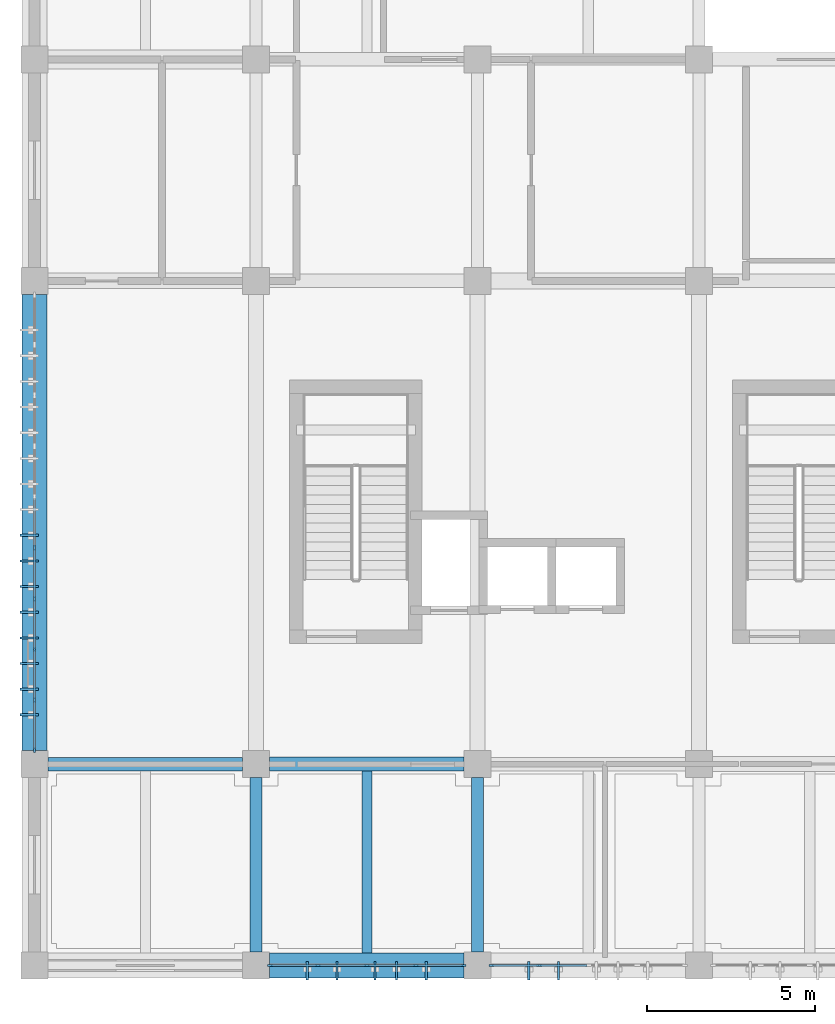
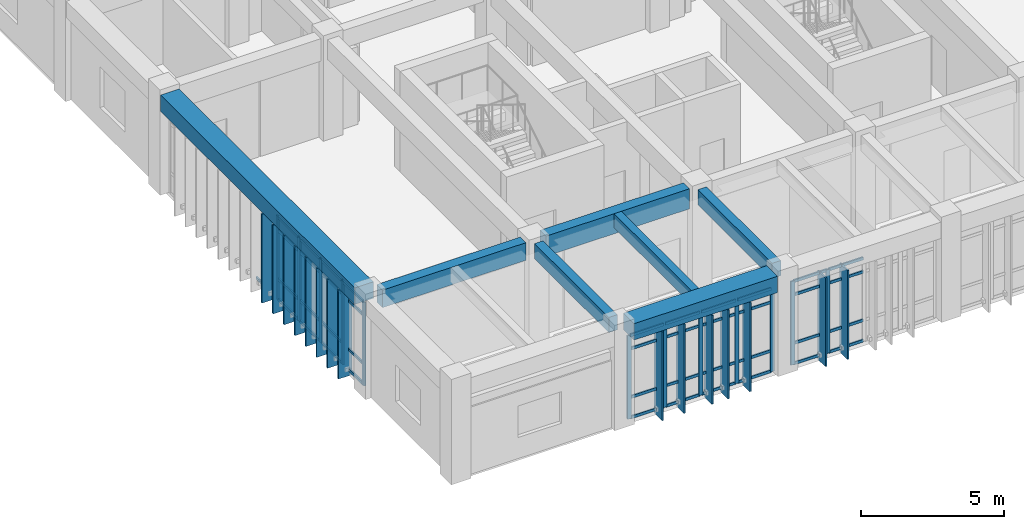
# One storey, part 2 of 54: 68 members, 7 beams, 3 elements without a shape of their own.
"""IFC4 building model written with IfcOpenShell, lengths in metres."""

import ifcopenshell
import ifcopenshell.guid

model = None  # the IFC model being written
_history = None  # IfcOwnerHistory: only IFC2X3 demands one
_inside = {}  # id of a spatial element -> (the spatial element, [elements in it])
_under = {}  # id of a project, library or spatial element -> (it, [spatial elements below it])
_declared = {}  # id of a project -> (the project, [libraries it declares])
_typed = {}  # id of a type object -> (the type object, [elements of that type])
_made_of = {}  # id of a material, layer set ... -> (it, [elements and type objects made of it])


def new_model(schema):
    """Start an empty IFC model of exactly this schema.

    Asked for "IFC4X3", IfcOpenShell would pick the latest addendum, in which some entities
    have other attributes; the version numbers below select the first issue.
    IFC2X3 requires an IfcOwnerHistory on every rooted entity: one is made here for all.
    """
    global model, _history
    if schema == "IFC4X3":
        model = ifcopenshell.file(schema_version=(4, 3, 0, 0))
    else:
        model = ifcopenshell.file(schema=schema)
    _inside.clear()
    _under.clear()
    _declared.clear()
    _typed.clear()
    _made_of.clear()
    _history = None
    if model.schema == "IFC2X3":
        org = make("IfcOrganization", Name="unknown")
        user = make(
            "IfcPersonAndOrganization",
            ThePerson=make("IfcPerson", FamilyName="unknown"),
            TheOrganization=org,
        )
        app = make(
            "IfcApplication",
            ApplicationDeveloper=org,
            Version="unknown",
            ApplicationFullName="unknown",
            ApplicationIdentifier="unknown",
        )
        _history = make(
            "IfcOwnerHistory",
            OwningUser=user,
            OwningApplication=app,
            ChangeAction="ADDED",
            CreationDate=0,
        )
    return model


def make(cls, **values):
    """One entity of the class cls with the attributes given. An attribute that is None is left unset."""
    return model.create_entity(
        cls, **{name: value for name, value in values.items() if value is not None}
    )


def rooted(cls, **values):
    """An entity with a GlobalId (a new one), such as an element, a storey or a relation."""
    return make(cls, GlobalId=ifcopenshell.guid.new(), OwnerHistory=_history, **values)


def si_unit(unit_type, name, prefix=None):
    """IfcSIUnit, for example si_unit("LENGTHUNIT", "METRE", prefix="MILLI")."""
    return make("IfcSIUnit", UnitType=unit_type, Prefix=prefix, Name=name)


def assignment(units):
    """IfcUnitAssignment: the units of a project."""
    return None if units is None else make("IfcUnitAssignment", Units=units)


def point(xyz):
    """IfcCartesianPoint."""
    return None if xyz is None else make("IfcCartesianPoint", Coordinates=xyz)


def direction(xyz):
    """IfcDirection."""
    return None if xyz is None else make("IfcDirection", DirectionRatios=xyz)


def frame(location, z_axis=None, x_axis=None):
    """IfcAxis2Placement3D, a coordinate frame: its origin and axes. An axis left out is left unset."""
    return make(
        "IfcAxis2Placement3D",
        Location=point(location),
        Axis=direction(z_axis),
        RefDirection=direction(x_axis),
    )


def frame_2d(location, x_axis=None):
    """IfcAxis2Placement2D, a coordinate frame in the plane: its origin and x axis."""
    return make(
        "IfcAxis2Placement2D", Location=point(location), RefDirection=direction(x_axis)
    )


def origin():
    """The frame at (0, 0, 0) with its axes left unset."""
    return frame((0.0, 0.0, 0.0))


def origin_2d():
    """The frame at (0, 0) in the plane with its x axis left unset."""
    return frame_2d((0.0, 0.0))


def place(relative_to, where):
    """IfcLocalPlacement: puts the frame where relative to a parent placement (None: the world)."""
    return make(
        "IfcLocalPlacement", PlacementRelTo=relative_to, RelativePlacement=where
    )


def context(
    kind, dimensions, precision=None, world=None, true_north=None, identifier=None
):
    """IfcGeometricRepresentationContext, for example the 3D "Model" context."""
    return make(
        "IfcGeometricRepresentationContext",
        ContextIdentifier=identifier,
        ContextType=kind,
        CoordinateSpaceDimension=dimensions,
        Precision=precision,
        WorldCoordinateSystem=world,
        TrueNorth=true_north,
    )


def subcontext(parent, identifier, kind, view, scale=None):
    """IfcGeometricRepresentationSubContext, for example "Body" below "Model"."""
    return make(
        "IfcGeometricRepresentationSubContext",
        ContextIdentifier=identifier,
        ContextType=kind,
        ParentContext=parent,
        TargetScale=scale,
        TargetView=view,
    )


def project(units=None, contexts=None):
    """IfcProject with its units and contexts."""
    return rooted(
        "IfcProject",
        Name="project",
        RepresentationContexts=contexts,
        UnitsInContext=assignment(units),
    )


def spatial(cls, under=None, at=None, **own):
    """A site, building, storey or space (cls), placed at a placement, below another one or the project."""
    s = rooted(cls, ObjectPlacement=at, **own)
    if under is not None:
        _under.setdefault(under.id(), (under, []))[1].append(s)
    return s


def profile(cls, at=None, kind="AREA", **sizes):
    """A parametric profile (cls). Its sizes go by their IFC names, for example OverallWidth=200.0."""
    return make(cls, ProfileType=kind, Position=at, **sizes)


def rectangle(**sizes):
    """IfcRectangleProfileDef."""
    return profile("IfcRectangleProfileDef", **sizes)


def extrude(swept, where, along, depth):
    """IfcExtrudedAreaSolid: the profile swept, set in the frame where, extruded along a direction by depth."""
    return make(
        "IfcExtrudedAreaSolid",
        SweptArea=swept,
        Position=where,
        ExtrudedDirection=direction(along),
        Depth=depth,
    )


def shape(context_of_items, identifier, shape_type, items):
    """IfcShapeRepresentation: the items that make up one representation, for example the "Body"."""
    return make(
        "IfcShapeRepresentation",
        ContextOfItems=context_of_items,
        RepresentationIdentifier=identifier,
        RepresentationType=shape_type,
        Items=items,
    )


def material(Name=None, Category=None):
    """IfcMaterial."""
    return make("IfcMaterial", Name=Name, Category=Category)


def layer(
    of_material, thickness, ventilated=None, Name=None, Category=None, Priority=None
):
    """IfcMaterialLayer: one layer of a wall or slab, of a material (None: an air gap)."""
    return make(
        "IfcMaterialLayer",
        Material=of_material,
        LayerThickness=thickness,
        IsVentilated=ventilated,
        Name=Name,
        Category=Category,
        Priority=Priority,
    )


def layer_set(layers, Name=None):
    """IfcMaterialLayerSet."""
    return make("IfcMaterialLayerSet", MaterialLayers=layers, LayerSetName=Name)


def material_profile(
    of_material, cross_section, Name=None, Category=None, Priority=None
):
    """IfcMaterialProfile: a cross section and its material."""
    return make(
        "IfcMaterialProfile",
        Name=Name,
        Material=of_material,
        Profile=cross_section,
        Priority=Priority,
        Category=Category,
    )


def profile_set(profiles, Name=None, composite=None):
    """IfcMaterialProfileSet."""
    return make(
        "IfcMaterialProfileSet",
        Name=Name,
        MaterialProfiles=profiles,
        CompositeProfile=composite,
    )


def made_of(thing, what):
    """Note that an element or type object is made of a material, layer set ...; save() writes the relation."""
    if what is not None:
        _made_of.setdefault(what.id(), (what, []))[1].append(thing)
    return thing


def type_object(cls, material=None, **own):
    """A type object (cls), such as IfcWallType, which elements share."""
    return made_of(rooted(cls, **own), material)


def element(
    cls,
    number,
    at=None,
    inside=None,
    cuts=None,
    type_object=None,
    material=None,
    context=None,
    identifier="Body",
    shape_type=None,
    held_by="IfcProductDefinitionShape",
    body=None,
    shapes=None,
    **own,
):
    """One element of the class cls, such as IfcWall. Its Tag is "e" and its number.

    at: its placement. inside: the storey or other place that contains it. cuts: it is an
    opening in that element (IfcRelVoidsElement). A single representation is given by context,
    identifier, shape_type and body (its items); several are given by shapes. held_by: the class
    of the entity that holds the representations. save() writes the other relations.
    """
    e = rooted(cls, Tag="e%d" % number, ObjectPlacement=at, **own)
    if body is not None:
        shapes = [shape(context, identifier, shape_type, body)]
    if shapes is not None:
        e.Representation = make(held_by, Representations=shapes)
    if inside is not None:
        _inside.setdefault(inside.id(), (inside, []))[1].append(e)
    if cuts is not None:
        rooted(
            "IfcRelVoidsElement", RelatingBuildingElement=cuts, RelatedOpeningElement=e
        )
    if type_object is not None:
        _typed.setdefault(type_object.id(), (type_object, []))[1].append(e)
    return made_of(e, material)


def aggregate(whole, parts):
    """IfcRelAggregates: a whole, such as a stair, and the parts it consists of."""
    return rooted("IfcRelAggregates", RelatingObject=whole, RelatedObjects=parts)


def save(model, path):
    """Write the relations noted so far, then the file.

    IfcRelAggregates (storeys below a building ...), IfcRelContainedInSpatialStructure (elements
    in a storey), IfcRelDefinesByType, IfcRelAssociatesMaterial and IfcRelDeclares: one each for
    every whole, place, type object, material and project.
    """
    for whole, parts in _under.values():
        aggregate(whole, parts)
    for where, things in _inside.values():
        rooted(
            "IfcRelContainedInSpatialStructure",
            RelatedElements=things,
            RelatingStructure=where,
        )
    for kind, things in _typed.values():
        rooted("IfcRelDefinesByType", RelatedObjects=things, RelatingType=kind)
    for what, things in _made_of.values():
        rooted("IfcRelAssociatesMaterial", RelatedObjects=things, RelatingMaterial=what)
    for by, libraries in _declared.values():
        rooted("IfcRelDeclares", RelatingContext=by, RelatedDefinitions=libraries)
    model.write(path)


model = new_model("IFC4")

# Units and contexts
model_context = context("Model", 3, precision=1e-05, world=origin(), true_north=direction((0.0, 1.0)))
body_context = subcontext(model_context, "Body", "Model", "MODEL_VIEW")
ifc_project = project(units=[si_unit("LENGTHUNIT", "METRE"), si_unit("AREAUNIT", "SQUARE_METRE"), si_unit("VOLUMEUNIT", "CUBIC_METRE"), si_unit("PLANEANGLEUNIT", "RADIAN"), si_unit("MASSUNIT", "GRAM", prefix="KILO")], contexts=[model_context])

# Site, building, storey
site_placement = place(None, origin())
site = spatial("IfcSite", under=ifc_project, at=site_placement, CompositionType="ELEMENT")
building_placement = place(site_placement, origin())
building = spatial("IfcBuilding", under=site, at=building_placement, Name="Miralva Faculty of Natural Sciences", CompositionType="ELEMENT")
storey_placement = place(building_placement, frame((0.0, 0.0, 19.5)))
storey = spatial("IfcBuildingStorey", under=building, at=storey_placement, Name="L04", CompositionType="ELEMENT", Elevation=19.5)

# Beams
ifc_material_1 = material(Name="Concrete C40/50", Category="concrete")
ifc_material_profile_1 = material_profile(ifc_material_1, rectangle(XDim=0.39990234375, YDim=0.75, at=origin_2d()), Name="RC 400x750")
ifc_profile_set_1 = profile_set([ifc_material_profile_1], Name="Concrete C40/50")
beam_type_1 = type_object("IfcBeamType", Name="BM-B03", PredefinedType="BEAM", material=ifc_profile_set_1)
beam_1_placement = place(storey_placement, frame((3.39990234375, 9.0, 3.905029296875), z_axis=(1.0, 0.0, 0.0), x_axis=(0.0, 1.0, 0.0)))
element("IfcBeam", 1, at=beam_1_placement, inside=storey, type_object=beam_type_1, Name="Girder EW L04-6", PredefinedType="BEAM", context=body_context, shape_type="SweptSolid", body=[
    extrude(rectangle(XDim=0.39990234375, YDim=0.75, at=origin_2d()), origin(), (0.0, 0.0, 1.0), 5.800048828125),
])
ifc_material_profile_2 = material_profile(ifc_material_1, rectangle(XDim=0.35009765625, YDim=0.64990234375, at=origin_2d()), Name="RC 350x650")
ifc_profile_set_2 = profile_set([ifc_material_profile_2], Name="Concrete C40/50")
beam_type_2 = type_object("IfcBeamType", Name="BM-B05", PredefinedType="BEAM", material=ifc_profile_set_2)
for number, where, z_axis, x_axis, name in (
    (2, (9.60009765625, 3.39990234375, 3.955078125), (0.0, 1.0, 0.0), (-1.0, 0.0, 0.0), "Girder NS L04-46"),
    (3, (16.199951171875, 3.39990234375, 3.955078125), (0.0, 1.0, 0.0), (-1.0, 0.0, 0.0), "Girder NS L04-56"),
):
    element("IfcBeam", number, at=place(storey_placement, frame(where, z_axis=z_axis, x_axis=x_axis)), inside=storey, type_object=beam_type_2, Name=name, PredefinedType="BEAM", context=body_context, shape_type="SweptSolid", body=[
        extrude(rectangle(XDim=0.35009765625, YDim=0.64990234375, at=origin_2d()), origin(), (0.0, 0.0, 1.0), 5.2001953125),
    ])
ifc_material_profile_3 = material_profile(ifc_material_1, rectangle(XDim=0.419921875, YDim=0.860107421875, at=origin_2d()), Name="RC 420x860")
ifc_profile_set_3 = profile_set([ifc_material_profile_3], Name="Concrete C40/50")
beam_type_3 = type_object("IfcBeamType", Name="BM-BG12", PredefinedType="BEAM", material=ifc_profile_set_3)
beam_2_placement = place(storey_placement, frame((10.0, 9.0, 3.85009765625), z_axis=(1.0, 0.0, 0.0), x_axis=(0.0, 1.0, 0.0)))
element("IfcBeam", 4, at=beam_2_placement, inside=storey, type_object=beam_type_3, Name="Girder EW L04-7", PredefinedType="BEAM", context=body_context, shape_type="SweptSolid", body=[
    extrude(rectangle(XDim=0.419921875, YDim=0.860107421875, at=origin_2d()), origin(), (0.0, 0.0, 1.0), 5.800048828125),
])
ifc_material_profile_4 = material_profile(ifc_material_1, rectangle(XDim=0.300048828125, YDim=0.60009765625, at=origin_2d()), Name="RC 300x600")
ifc_profile_set_4 = profile_set([ifc_material_profile_4], Name="Concrete C40/50")
beam_type_4 = type_object("IfcBeamType", Name="BM-J01", PredefinedType="JOIST", material=ifc_profile_set_4)
beam_3_placement = place(storey_placement, frame((12.89990234375, 3.375, 3.97998046875), z_axis=(0.0, 1.0, 0.0), x_axis=(-1.0, 0.0, 0.0)))
element("IfcBeam", 5, at=beam_3_placement, inside=storey, type_object=beam_type_4, Name="Floor joist L04-2", PredefinedType="JOIST", context=body_context, shape_type="SweptSolid", body=[
    extrude(rectangle(XDim=0.300048828125, YDim=0.60009765625, at=origin_2d()), origin(), (0.0, 0.0, 1.0), 5.4150390625),
])
ifc_material_profile_5 = material_profile(ifc_material_1, rectangle(XDim=0.75, YDim=0.699951171875, at=origin_2d()), Name="RC 750x700")
ifc_profile_set_5 = profile_set([ifc_material_profile_5], Name="Concrete C40/50")
beam_type_5 = type_object("IfcBeamType", Name="BM-SP01", PredefinedType="SPANDREL", material=ifc_profile_set_5)
beam_4_placement = place(storey_placement, frame((10.0, 3.0, 3.929931640625), z_axis=(1.0, 0.0, 0.0), x_axis=(0.0, 1.0, 0.0)))
element("IfcBeam", 6, at=beam_4_placement, inside=storey, type_object=beam_type_5, Name="Girder EW L04-2", PredefinedType="SPANDREL", context=body_context, shape_type="SweptSolid", body=[
    extrude(rectangle(XDim=0.75, YDim=0.699951171875, at=origin_2d()), origin(), (0.0, 0.0, 1.0), 5.800048828125),
])
beam_5_placement = place(storey_placement, frame((3.0, 9.39990234375, 3.929931640625), z_axis=(0.0, 1.0, 0.0), x_axis=(-1.0, 0.0, 0.0)))
element("IfcBeam", 7, at=beam_5_placement, inside=storey, type_object=beam_type_5, Name="Girder NS L04-37", PredefinedType="SPANDREL", context=body_context, shape_type="SweptSolid", body=[
    extrude(rectangle(XDim=0.75, YDim=0.699951171875, at=origin_2d()), origin(), (0.0, 0.0, 1.0), 13.60009765625),
])

# Curtain wall, members
ifc_material_2 = material(Name="Laminated solar-control glass", Category="glass")
ifc_layer = layer(ifc_material_2, 0.179931640625, Name="CW-TWR-L03")
ifc_layer_set = layer_set([ifc_layer], Name="Laminated solar-control glass")
curtain_wall_type = type_object("IfcCurtainWallType", Name="CW-TWR-L03", PredefinedType="USERDEFINED", material=ifc_layer_set)
curtain_wall_1_placement = place(storey_placement, origin())
curtain_wall_1 = element("IfcCurtainWall", 8, at=curtain_wall_1_placement, inside=storey, type_object=curtain_wall_type, Name="Curtain wall CW-14 L04-229", ObjectType="UNITISED CURTAIN WALL", PredefinedType="USERDEFINED")
ifc_material_3 = material(Name="Anodised aluminium", Category="aluminium")
ifc_material_profile_6 = material_profile(ifc_material_3, rectangle(XDim=0.06494140625, YDim=0.159912109375, at=origin_2d()), Name="MULLION 65x160")
ifc_profile_set_6 = profile_set([ifc_material_profile_6], Name="Anodised aluminium")
member_type_1 = type_object("IfcMemberType", Name="CW-M02", PredefinedType="MULLION", material=ifc_profile_set_6)
member_1_placement = place(storey_placement, frame((10.017578125, 3.0, 0.0), z_axis=(0.0, 0.0, 1.0), x_axis=(0.0, 1.0, 0.0)))
member_1 = element("IfcMember", 9, at=member_1_placement, type_object=member_type_1, Name="CW-14 mullion 1", PredefinedType="MULLION", context=body_context, shape_type="SweptSolid", body=[
    extrude(rectangle(XDim=0.06494140625, YDim=0.159912109375, at=origin_2d()), origin(), (0.0, 0.0, 1.0), 3.574951171875),
])
member_2_placement = place(storey_placement, frame((11.4423828125, 3.0, 0.0), z_axis=(0.0, 0.0, 1.0), x_axis=(0.0, 1.0, 0.0)))
member_2 = element("IfcMember", 10, at=member_2_placement, type_object=member_type_1, Name="CW-14 mullion 2", PredefinedType="MULLION", context=body_context, shape_type="SweptSolid", body=[
    extrude(rectangle(XDim=0.06494140625, YDim=0.159912109375, at=origin_2d()), origin(), (0.0, 0.0, 1.0), 3.574951171875),
])
member_3_placement = place(storey_placement, frame((12.89990234375, 3.0, 0.0), z_axis=(0.0, 0.0, 1.0), x_axis=(0.0, 1.0, 0.0)))
member_3 = element("IfcMember", 11, at=member_3_placement, type_object=member_type_1, Name="CW-14 mullion 3", PredefinedType="MULLION", context=body_context, shape_type="SweptSolid", body=[
    extrude(rectangle(XDim=0.06494140625, YDim=0.159912109375, at=origin_2d()), origin(), (0.0, 0.0, 1.0), 3.574951171875),
])
member_4_placement = place(storey_placement, frame((14.357421875, 3.0, 0.0), z_axis=(0.0, 0.0, 1.0), x_axis=(0.0, 1.0, 0.0)))
member_4 = element("IfcMember", 12, at=member_4_placement, type_object=member_type_1, Name="CW-14 mullion 4", PredefinedType="MULLION", context=body_context, shape_type="SweptSolid", body=[
    extrude(rectangle(XDim=0.06494140625, YDim=0.159912109375, at=origin_2d()), origin(), (0.0, 0.0, 1.0), 3.574951171875),
])
member_5_placement = place(storey_placement, frame((15.782470703125, 3.0, 0.0), z_axis=(0.0, 0.0, 1.0), x_axis=(0.0, 1.0, 0.0)))
member_5 = element("IfcMember", 13, at=member_5_placement, type_object=member_type_1, Name="CW-14 mullion 5", PredefinedType="MULLION", context=body_context, shape_type="SweptSolid", body=[
    extrude(rectangle(XDim=0.06494140625, YDim=0.159912109375, at=origin_2d()), origin(), (0.0, 0.0, 1.0), 3.574951171875),
])

curtain_wall_2_placement = place(storey_placement, origin())
curtain_wall_2 = element("IfcCurtainWall", 14, at=curtain_wall_2_placement, inside=storey, type_object=curtain_wall_type, Name="Curtain wall CW-14 L04-230", ObjectType="UNITISED CURTAIN WALL", PredefinedType="USERDEFINED")
member_6_placement = place(storey_placement, frame((16.617431640625, 3.0, 0.0), z_axis=(0.0, 0.0, 1.0), x_axis=(0.0, 1.0, 0.0)))
member_6 = element("IfcMember", 15, at=member_6_placement, type_object=member_type_1, Name="CW-14 mullion 1", PredefinedType="MULLION", context=body_context, shape_type="SweptSolid", body=[
    extrude(rectangle(XDim=0.06494140625, YDim=0.159912109375, at=origin_2d()), origin(), (0.0, 0.0, 1.0), 3.574951171875),
])
member_7_placement = place(storey_placement, frame((18.04248046875, 3.0, 0.0), z_axis=(0.0, 0.0, 1.0), x_axis=(0.0, 1.0, 0.0)))
member_7 = element("IfcMember", 16, at=member_7_placement, type_object=member_type_1, Name="CW-14 mullion 2", PredefinedType="MULLION", context=body_context, shape_type="SweptSolid", body=[
    extrude(rectangle(XDim=0.06494140625, YDim=0.159912109375, at=origin_2d()), origin(), (0.0, 0.0, 1.0), 3.574951171875),
])

curtain_wall_3_placement = place(storey_placement, origin())
curtain_wall_3 = element("IfcCurtainWall", 17, at=curtain_wall_3_placement, inside=storey, type_object=curtain_wall_type, Name="Curtain wall CW-14 L04-233", ObjectType="UNITISED CURTAIN WALL", PredefinedType="USERDEFINED")
member_8_placement = place(storey_placement, frame((3.0, 9.41748046875, 0.0), z_axis=(0.0, 0.0, 1.0), x_axis=(-1.0, 0.0, 0.0)))
member_8 = element("IfcMember", 18, at=member_8_placement, type_object=member_type_1, Name="CW-14 mullion 1", PredefinedType="MULLION", context=body_context, shape_type="SweptSolid", body=[
    extrude(rectangle(XDim=0.06494140625, YDim=0.159912109375, at=origin_2d()), origin(), (0.0, 0.0, 1.0), 3.574951171875),
])
member_9_placement = place(storey_placement, frame((3.0, 10.8994140625, 0.0), z_axis=(0.0, 0.0, 1.0), x_axis=(-1.0, 0.0, 0.0)))
member_9 = element("IfcMember", 19, at=member_9_placement, type_object=member_type_1, Name="CW-14 mullion 2", PredefinedType="MULLION", context=body_context, shape_type="SweptSolid", body=[
    extrude(rectangle(XDim=0.06494140625, YDim=0.159912109375, at=origin_2d()), origin(), (0.0, 0.0, 1.0), 3.574951171875),
])
member_10_placement = place(storey_placement, frame((3.0, 12.413818359375, 0.0), z_axis=(0.0, 0.0, 1.0), x_axis=(-1.0, 0.0, 0.0)))
member_10 = element("IfcMember", 20, at=member_10_placement, type_object=member_type_1, Name="CW-14 mullion 3", PredefinedType="MULLION", context=body_context, shape_type="SweptSolid", body=[
    extrude(rectangle(XDim=0.06494140625, YDim=0.159912109375, at=origin_2d()), origin(), (0.0, 0.0, 1.0), 3.574951171875),
])
member_11_placement = place(storey_placement, frame((3.0, 13.92822265625, 0.0), z_axis=(0.0, 0.0, 1.0), x_axis=(-1.0, 0.0, 0.0)))
member_11 = element("IfcMember", 21, at=member_11_placement, type_object=member_type_1, Name="CW-14 mullion 4", PredefinedType="MULLION", context=body_context, shape_type="SweptSolid", body=[
    extrude(rectangle(XDim=0.06494140625, YDim=0.159912109375, at=origin_2d()), origin(), (0.0, 0.0, 1.0), 3.574951171875),
])
member_12_placement = place(storey_placement, frame((3.0, 15.44287109375, 0.0), z_axis=(0.0, 0.0, 1.0), x_axis=(-1.0, 0.0, 0.0)))
member_12 = element("IfcMember", 22, at=member_12_placement, type_object=member_type_1, Name="CW-14 mullion 5", PredefinedType="MULLION", context=body_context, shape_type="SweptSolid", body=[
    extrude(rectangle(XDim=0.06494140625, YDim=0.159912109375, at=origin_2d()), origin(), (0.0, 0.0, 1.0), 3.574951171875),
])

# Member
ifc_material_profile_7 = material_profile(ifc_material_3, rectangle(XDim=0.06005859375, YDim=0.1201171875, at=origin_2d()), Name="TRANSOM 60x120")
ifc_profile_set_7 = profile_set([ifc_material_profile_7], Name="Anodised aluminium")
member_type_2 = type_object("IfcMemberType", Name="CW-T02", PredefinedType="USERDEFINED", material=ifc_profile_set_7)
member_13_placement = place(storey_placement, frame((10.050048828125, 3.0, 0.030029296875), z_axis=(1.0, 0.0, 0.0), x_axis=(0.0, 1.0, 0.0)))
member_13 = element("IfcMember", 23, at=member_13_placement, type_object=member_type_2, Name="CW-14 transom 1.1", ObjectType="TRANSOM", PredefinedType="USERDEFINED", context=body_context, shape_type="SweptSolid", body=[
    extrude(rectangle(XDim=0.06005859375, YDim=0.1201171875, at=origin_2d()), origin(), (0.0, 0.0, 1.0), 1.35986328125),
])

member_14_placement = place(storey_placement, frame((10.050048828125, 3.0, 0.89990234375), z_axis=(1.0, 0.0, 0.0), x_axis=(0.0, 1.0, 0.0)))
member_14 = element("IfcMember", 24, at=member_14_placement, type_object=member_type_2, Name="CW-14 transom 1.2", ObjectType="TRANSOM", PredefinedType="USERDEFINED", context=body_context, shape_type="SweptSolid", body=[
    extrude(rectangle(XDim=0.06005859375, YDim=0.1201171875, at=origin_2d()), origin(), (0.0, 0.0, 1.0), 1.35986328125),
])

member_15_placement = place(storey_placement, frame((10.050048828125, 3.0, 2.97509765625), z_axis=(1.0, 0.0, 0.0), x_axis=(0.0, 1.0, 0.0)))
member_15 = element("IfcMember", 25, at=member_15_placement, type_object=member_type_2, Name="CW-14 transom 1.3", ObjectType="TRANSOM", PredefinedType="USERDEFINED", context=body_context, shape_type="SweptSolid", body=[
    extrude(rectangle(XDim=0.06005859375, YDim=0.1201171875, at=origin_2d()), origin(), (0.0, 0.0, 1.0), 1.35986328125),
])

member_16_placement = place(storey_placement, frame((10.050048828125, 3.0, 3.544921875), z_axis=(1.0, 0.0, 0.0), x_axis=(0.0, 1.0, 0.0)))
member_16 = element("IfcMember", 26, at=member_16_placement, type_object=member_type_2, Name="CW-14 transom 1.4", ObjectType="TRANSOM", PredefinedType="USERDEFINED", context=body_context, shape_type="SweptSolid", body=[
    extrude(rectangle(XDim=0.06005859375, YDim=0.1201171875, at=origin_2d()), origin(), (0.0, 0.0, 1.0), 1.35986328125),
])

member_17_placement = place(storey_placement, frame((11.47509765625, 3.0, 0.030029296875), z_axis=(1.0, 0.0, 0.0), x_axis=(0.0, 1.0, 0.0)))
member_17 = element("IfcMember", 27, at=member_17_placement, type_object=member_type_2, Name="CW-14 transom 2.1", ObjectType="TRANSOM", PredefinedType="USERDEFINED", context=body_context, shape_type="SweptSolid", body=[
    extrude(rectangle(XDim=0.06005859375, YDim=0.1201171875, at=origin_2d()), origin(), (0.0, 0.0, 1.0), 1.392333984375),
])

member_18_placement = place(storey_placement, frame((11.47509765625, 3.0, 0.89990234375), z_axis=(1.0, 0.0, 0.0), x_axis=(0.0, 1.0, 0.0)))
member_18 = element("IfcMember", 28, at=member_18_placement, type_object=member_type_2, Name="CW-14 transom 2.2", ObjectType="TRANSOM", PredefinedType="USERDEFINED", context=body_context, shape_type="SweptSolid", body=[
    extrude(rectangle(XDim=0.06005859375, YDim=0.1201171875, at=origin_2d()), origin(), (0.0, 0.0, 1.0), 1.392333984375),
])

member_19_placement = place(storey_placement, frame((11.47509765625, 3.0, 2.97509765625), z_axis=(1.0, 0.0, 0.0), x_axis=(0.0, 1.0, 0.0)))
member_19 = element("IfcMember", 29, at=member_19_placement, type_object=member_type_2, Name="CW-14 transom 2.3", ObjectType="TRANSOM", PredefinedType="USERDEFINED", context=body_context, shape_type="SweptSolid", body=[
    extrude(rectangle(XDim=0.06005859375, YDim=0.1201171875, at=origin_2d()), origin(), (0.0, 0.0, 1.0), 1.392333984375),
])

member_20_placement = place(storey_placement, frame((11.47509765625, 3.0, 3.544921875), z_axis=(1.0, 0.0, 0.0), x_axis=(0.0, 1.0, 0.0)))
member_20 = element("IfcMember", 30, at=member_20_placement, type_object=member_type_2, Name="CW-14 transom 2.4", ObjectType="TRANSOM", PredefinedType="USERDEFINED", context=body_context, shape_type="SweptSolid", body=[
    extrude(rectangle(XDim=0.06005859375, YDim=0.1201171875, at=origin_2d()), origin(), (0.0, 0.0, 1.0), 1.392333984375),
])

member_21_placement = place(storey_placement, frame((12.9326171875, 3.0, 0.030029296875), z_axis=(1.0, 0.0, 0.0), x_axis=(0.0, 1.0, 0.0)))
member_21 = element("IfcMember", 31, at=member_21_placement, type_object=member_type_2, Name="CW-14 transom 3.1", ObjectType="TRANSOM", PredefinedType="USERDEFINED", context=body_context, shape_type="SweptSolid", body=[
    extrude(rectangle(XDim=0.06005859375, YDim=0.1201171875, at=origin_2d()), origin(), (0.0, 0.0, 1.0), 1.392333984375),
])

member_22_placement = place(storey_placement, frame((12.9326171875, 3.0, 0.89990234375), z_axis=(1.0, 0.0, 0.0), x_axis=(0.0, 1.0, 0.0)))
member_22 = element("IfcMember", 32, at=member_22_placement, type_object=member_type_2, Name="CW-14 transom 3.2", ObjectType="TRANSOM", PredefinedType="USERDEFINED", context=body_context, shape_type="SweptSolid", body=[
    extrude(rectangle(XDim=0.06005859375, YDim=0.1201171875, at=origin_2d()), origin(), (0.0, 0.0, 1.0), 1.392333984375),
])

member_23_placement = place(storey_placement, frame((12.9326171875, 3.0, 2.97509765625), z_axis=(1.0, 0.0, 0.0), x_axis=(0.0, 1.0, 0.0)))
member_23 = element("IfcMember", 33, at=member_23_placement, type_object=member_type_2, Name="CW-14 transom 3.3", ObjectType="TRANSOM", PredefinedType="USERDEFINED", context=body_context, shape_type="SweptSolid", body=[
    extrude(rectangle(XDim=0.06005859375, YDim=0.1201171875, at=origin_2d()), origin(), (0.0, 0.0, 1.0), 1.392333984375),
])

member_24_placement = place(storey_placement, frame((12.9326171875, 3.0, 3.544921875), z_axis=(1.0, 0.0, 0.0), x_axis=(0.0, 1.0, 0.0)))
member_24 = element("IfcMember", 34, at=member_24_placement, type_object=member_type_2, Name="CW-14 transom 3.4", ObjectType="TRANSOM", PredefinedType="USERDEFINED", context=body_context, shape_type="SweptSolid", body=[
    extrude(rectangle(XDim=0.06005859375, YDim=0.1201171875, at=origin_2d()), origin(), (0.0, 0.0, 1.0), 1.392333984375),
])

member_25_placement = place(storey_placement, frame((14.389892578125, 3.0, 0.030029296875), z_axis=(1.0, 0.0, 0.0), x_axis=(0.0, 1.0, 0.0)))
member_25 = element("IfcMember", 35, at=member_25_placement, type_object=member_type_2, Name="CW-14 transom 4.1", ObjectType="TRANSOM", PredefinedType="USERDEFINED", context=body_context, shape_type="SweptSolid", body=[
    extrude(rectangle(XDim=0.06005859375, YDim=0.1201171875, at=origin_2d()), origin(), (0.0, 0.0, 1.0), 1.360107421875),
])

member_26_placement = place(storey_placement, frame((14.389892578125, 3.0, 0.89990234375), z_axis=(1.0, 0.0, 0.0), x_axis=(0.0, 1.0, 0.0)))
member_26 = element("IfcMember", 36, at=member_26_placement, type_object=member_type_2, Name="CW-14 transom 4.2", ObjectType="TRANSOM", PredefinedType="USERDEFINED", context=body_context, shape_type="SweptSolid", body=[
    extrude(rectangle(XDim=0.06005859375, YDim=0.1201171875, at=origin_2d()), origin(), (0.0, 0.0, 1.0), 1.360107421875),
])

member_27_placement = place(storey_placement, frame((14.389892578125, 3.0, 2.97509765625), z_axis=(1.0, 0.0, 0.0), x_axis=(0.0, 1.0, 0.0)))
member_27 = element("IfcMember", 37, at=member_27_placement, type_object=member_type_2, Name="CW-14 transom 4.3", ObjectType="TRANSOM", PredefinedType="USERDEFINED", context=body_context, shape_type="SweptSolid", body=[
    extrude(rectangle(XDim=0.06005859375, YDim=0.1201171875, at=origin_2d()), origin(), (0.0, 0.0, 1.0), 1.360107421875),
])

member_28_placement = place(storey_placement, frame((14.389892578125, 3.0, 3.544921875), z_axis=(1.0, 0.0, 0.0), x_axis=(0.0, 1.0, 0.0)))
member_28 = element("IfcMember", 38, at=member_28_placement, type_object=member_type_2, Name="CW-14 transom 4.4", ObjectType="TRANSOM", PredefinedType="USERDEFINED", context=body_context, shape_type="SweptSolid", body=[
    extrude(rectangle(XDim=0.06005859375, YDim=0.1201171875, at=origin_2d()), origin(), (0.0, 0.0, 1.0), 1.360107421875),
])

aggregate(curtain_wall_1, [member_1, member_2, member_3, member_4, member_5, member_13, member_14, member_15, member_16, member_17, member_18, member_19, member_20, member_21, member_22, member_23, member_24, member_25, member_26, member_27, member_28])

member_29_placement = place(storey_placement, frame((16.64990234375, 3.0, 0.030029296875), z_axis=(1.0, 0.0, 0.0), x_axis=(0.0, 1.0, 0.0)))
member_29 = element("IfcMember", 39, at=member_29_placement, type_object=member_type_2, Name="CW-14 transom 1.1", ObjectType="TRANSOM", PredefinedType="USERDEFINED", context=body_context, shape_type="SweptSolid", body=[
    extrude(rectangle(XDim=0.06005859375, YDim=0.1201171875, at=origin_2d()), origin(), (0.0, 0.0, 1.0), 1.360107421875),
])

member_30_placement = place(storey_placement, frame((16.64990234375, 3.0, 0.89990234375), z_axis=(1.0, 0.0, 0.0), x_axis=(0.0, 1.0, 0.0)))
member_30 = element("IfcMember", 40, at=member_30_placement, type_object=member_type_2, Name="CW-14 transom 1.2", ObjectType="TRANSOM", PredefinedType="USERDEFINED", context=body_context, shape_type="SweptSolid", body=[
    extrude(rectangle(XDim=0.06005859375, YDim=0.1201171875, at=origin_2d()), origin(), (0.0, 0.0, 1.0), 1.360107421875),
])

member_31_placement = place(storey_placement, frame((16.64990234375, 3.0, 2.97509765625), z_axis=(1.0, 0.0, 0.0), x_axis=(0.0, 1.0, 0.0)))
member_31 = element("IfcMember", 41, at=member_31_placement, type_object=member_type_2, Name="CW-14 transom 1.3", ObjectType="TRANSOM", PredefinedType="USERDEFINED", context=body_context, shape_type="SweptSolid", body=[
    extrude(rectangle(XDim=0.06005859375, YDim=0.1201171875, at=origin_2d()), origin(), (0.0, 0.0, 1.0), 1.360107421875),
])

member_32_placement = place(storey_placement, frame((16.64990234375, 3.0, 3.544921875), z_axis=(1.0, 0.0, 0.0), x_axis=(0.0, 1.0, 0.0)))
member_32 = element("IfcMember", 42, at=member_32_placement, type_object=member_type_2, Name="CW-14 transom 1.4", ObjectType="TRANSOM", PredefinedType="USERDEFINED", context=body_context, shape_type="SweptSolid", body=[
    extrude(rectangle(XDim=0.06005859375, YDim=0.1201171875, at=origin_2d()), origin(), (0.0, 0.0, 1.0), 1.360107421875),
])

member_33_placement = place(storey_placement, frame((18.074951171875, 3.0, 0.030029296875), z_axis=(1.0, 0.0, 0.0), x_axis=(0.0, 1.0, 0.0)))
member_33 = element("IfcMember", 43, at=member_33_placement, type_object=member_type_2, Name="CW-14 transom 2.1", ObjectType="TRANSOM", PredefinedType="USERDEFINED", context=body_context, shape_type="SweptSolid", body=[
    extrude(rectangle(XDim=0.06005859375, YDim=0.1201171875, at=origin_2d()), origin(), (0.0, 0.0, 1.0), 1.392578125),
])

member_34_placement = place(storey_placement, frame((18.074951171875, 3.0, 0.89990234375), z_axis=(1.0, 0.0, 0.0), x_axis=(0.0, 1.0, 0.0)))
member_34 = element("IfcMember", 44, at=member_34_placement, type_object=member_type_2, Name="CW-14 transom 2.2", ObjectType="TRANSOM", PredefinedType="USERDEFINED", context=body_context, shape_type="SweptSolid", body=[
    extrude(rectangle(XDim=0.06005859375, YDim=0.1201171875, at=origin_2d()), origin(), (0.0, 0.0, 1.0), 1.392578125),
])

member_35_placement = place(storey_placement, frame((18.074951171875, 3.0, 2.97509765625), z_axis=(1.0, 0.0, 0.0), x_axis=(0.0, 1.0, 0.0)))
member_35 = element("IfcMember", 45, at=member_35_placement, type_object=member_type_2, Name="CW-14 transom 2.3", ObjectType="TRANSOM", PredefinedType="USERDEFINED", context=body_context, shape_type="SweptSolid", body=[
    extrude(rectangle(XDim=0.06005859375, YDim=0.1201171875, at=origin_2d()), origin(), (0.0, 0.0, 1.0), 1.392578125),
])

member_36_placement = place(storey_placement, frame((18.074951171875, 3.0, 3.544921875), z_axis=(1.0, 0.0, 0.0), x_axis=(0.0, 1.0, 0.0)))
member_36 = element("IfcMember", 46, at=member_36_placement, type_object=member_type_2, Name="CW-14 transom 2.4", ObjectType="TRANSOM", PredefinedType="USERDEFINED", context=body_context, shape_type="SweptSolid", body=[
    extrude(rectangle(XDim=0.06005859375, YDim=0.1201171875, at=origin_2d()), origin(), (0.0, 0.0, 1.0), 1.392578125),
])

aggregate(curtain_wall_2, [member_6, member_7, member_29, member_30, member_31, member_32, member_33, member_34, member_35, member_36])

member_37_placement = place(storey_placement, frame((3.0, 9.449951171875, 0.030029296875), z_axis=(0.0, 1.0, 0.0), x_axis=(-1.0, 0.0, 0.0)))
member_37 = element("IfcMember", 47, at=member_37_placement, type_object=member_type_2, Name="CW-14 transom 1.1", ObjectType="TRANSOM", PredefinedType="USERDEFINED", context=body_context, shape_type="SweptSolid", body=[
    extrude(rectangle(XDim=0.06005859375, YDim=0.1201171875, at=origin_2d()), origin(), (0.0, 0.0, 1.0), 1.4169921875),
])

member_38_placement = place(storey_placement, frame((3.0, 9.449951171875, 0.89990234375), z_axis=(0.0, 1.0, 0.0), x_axis=(-1.0, 0.0, 0.0)))
member_38 = element("IfcMember", 48, at=member_38_placement, type_object=member_type_2, Name="CW-14 transom 1.2", ObjectType="TRANSOM", PredefinedType="USERDEFINED", context=body_context, shape_type="SweptSolid", body=[
    extrude(rectangle(XDim=0.06005859375, YDim=0.1201171875, at=origin_2d()), origin(), (0.0, 0.0, 1.0), 1.4169921875),
])

member_39_placement = place(storey_placement, frame((3.0, 9.449951171875, 2.97509765625), z_axis=(0.0, 1.0, 0.0), x_axis=(-1.0, 0.0, 0.0)))
member_39 = element("IfcMember", 49, at=member_39_placement, type_object=member_type_2, Name="CW-14 transom 1.3", ObjectType="TRANSOM", PredefinedType="USERDEFINED", context=body_context, shape_type="SweptSolid", body=[
    extrude(rectangle(XDim=0.06005859375, YDim=0.1201171875, at=origin_2d()), origin(), (0.0, 0.0, 1.0), 1.4169921875),
])

member_40_placement = place(storey_placement, frame((3.0, 9.449951171875, 3.544921875), z_axis=(0.0, 1.0, 0.0), x_axis=(-1.0, 0.0, 0.0)))
member_40 = element("IfcMember", 50, at=member_40_placement, type_object=member_type_2, Name="CW-14 transom 1.4", ObjectType="TRANSOM", PredefinedType="USERDEFINED", context=body_context, shape_type="SweptSolid", body=[
    extrude(rectangle(XDim=0.06005859375, YDim=0.1201171875, at=origin_2d()), origin(), (0.0, 0.0, 1.0), 1.4169921875),
])

member_41_placement = place(storey_placement, frame((3.0, 10.931884765625, 0.030029296875), z_axis=(0.0, 1.0, 0.0), x_axis=(-1.0, 0.0, 0.0)))
member_41 = element("IfcMember", 51, at=member_41_placement, type_object=member_type_2, Name="CW-14 transom 2.1", ObjectType="TRANSOM", PredefinedType="USERDEFINED", context=body_context, shape_type="SweptSolid", body=[
    extrude(rectangle(XDim=0.06005859375, YDim=0.1201171875, at=origin_2d()), origin(), (0.0, 0.0, 1.0), 1.449462890625),
])

member_42_placement = place(storey_placement, frame((3.0, 10.931884765625, 0.89990234375), z_axis=(0.0, 1.0, 0.0), x_axis=(-1.0, 0.0, 0.0)))
member_42 = element("IfcMember", 52, at=member_42_placement, type_object=member_type_2, Name="CW-14 transom 2.2", ObjectType="TRANSOM", PredefinedType="USERDEFINED", context=body_context, shape_type="SweptSolid", body=[
    extrude(rectangle(XDim=0.06005859375, YDim=0.1201171875, at=origin_2d()), origin(), (0.0, 0.0, 1.0), 1.449462890625),
])

member_43_placement = place(storey_placement, frame((3.0, 10.931884765625, 2.97509765625), z_axis=(0.0, 1.0, 0.0), x_axis=(-1.0, 0.0, 0.0)))
member_43 = element("IfcMember", 53, at=member_43_placement, type_object=member_type_2, Name="CW-14 transom 2.3", ObjectType="TRANSOM", PredefinedType="USERDEFINED", context=body_context, shape_type="SweptSolid", body=[
    extrude(rectangle(XDim=0.06005859375, YDim=0.1201171875, at=origin_2d()), origin(), (0.0, 0.0, 1.0), 1.449462890625),
])

member_44_placement = place(storey_placement, frame((3.0, 10.931884765625, 3.544921875), z_axis=(0.0, 1.0, 0.0), x_axis=(-1.0, 0.0, 0.0)))
member_44 = element("IfcMember", 54, at=member_44_placement, type_object=member_type_2, Name="CW-14 transom 2.4", ObjectType="TRANSOM", PredefinedType="USERDEFINED", context=body_context, shape_type="SweptSolid", body=[
    extrude(rectangle(XDim=0.06005859375, YDim=0.1201171875, at=origin_2d()), origin(), (0.0, 0.0, 1.0), 1.449462890625),
])

member_45_placement = place(storey_placement, frame((3.0, 12.4462890625, 0.030029296875), z_axis=(0.0, 1.0, 0.0), x_axis=(-1.0, 0.0, 0.0)))
member_45 = element("IfcMember", 55, at=member_45_placement, type_object=member_type_2, Name="CW-14 transom 3.1", ObjectType="TRANSOM", PredefinedType="USERDEFINED", context=body_context, shape_type="SweptSolid", body=[
    extrude(rectangle(XDim=0.06005859375, YDim=0.1201171875, at=origin_2d()), origin(), (0.0, 0.0, 1.0), 1.449462890625),
])

member_46_placement = place(storey_placement, frame((3.0, 12.4462890625, 0.89990234375), z_axis=(0.0, 1.0, 0.0), x_axis=(-1.0, 0.0, 0.0)))
member_46 = element("IfcMember", 56, at=member_46_placement, type_object=member_type_2, Name="CW-14 transom 3.2", ObjectType="TRANSOM", PredefinedType="USERDEFINED", context=body_context, shape_type="SweptSolid", body=[
    extrude(rectangle(XDim=0.06005859375, YDim=0.1201171875, at=origin_2d()), origin(), (0.0, 0.0, 1.0), 1.449462890625),
])

member_47_placement = place(storey_placement, frame((3.0, 12.4462890625, 2.97509765625), z_axis=(0.0, 1.0, 0.0), x_axis=(-1.0, 0.0, 0.0)))
member_47 = element("IfcMember", 57, at=member_47_placement, type_object=member_type_2, Name="CW-14 transom 3.3", ObjectType="TRANSOM", PredefinedType="USERDEFINED", context=body_context, shape_type="SweptSolid", body=[
    extrude(rectangle(XDim=0.06005859375, YDim=0.1201171875, at=origin_2d()), origin(), (0.0, 0.0, 1.0), 1.449462890625),
])

member_48_placement = place(storey_placement, frame((3.0, 12.4462890625, 3.544921875), z_axis=(0.0, 1.0, 0.0), x_axis=(-1.0, 0.0, 0.0)))
member_48 = element("IfcMember", 58, at=member_48_placement, type_object=member_type_2, Name="CW-14 transom 3.4", ObjectType="TRANSOM", PredefinedType="USERDEFINED", context=body_context, shape_type="SweptSolid", body=[
    extrude(rectangle(XDim=0.06005859375, YDim=0.1201171875, at=origin_2d()), origin(), (0.0, 0.0, 1.0), 1.449462890625),
])

member_49_placement = place(storey_placement, frame((3.0, 13.9609375, 0.030029296875), z_axis=(0.0, 1.0, 0.0), x_axis=(-1.0, 0.0, 0.0)))
member_49 = element("IfcMember", 59, at=member_49_placement, type_object=member_type_2, Name="CW-14 transom 4.1", ObjectType="TRANSOM", PredefinedType="USERDEFINED", context=body_context, shape_type="SweptSolid", body=[
    extrude(rectangle(XDim=0.06005859375, YDim=0.1201171875, at=origin_2d()), origin(), (0.0, 0.0, 1.0), 1.44921875),
])

member_50_placement = place(storey_placement, frame((3.0, 13.9609375, 0.89990234375), z_axis=(0.0, 1.0, 0.0), x_axis=(-1.0, 0.0, 0.0)))
member_50 = element("IfcMember", 60, at=member_50_placement, type_object=member_type_2, Name="CW-14 transom 4.2", ObjectType="TRANSOM", PredefinedType="USERDEFINED", context=body_context, shape_type="SweptSolid", body=[
    extrude(rectangle(XDim=0.06005859375, YDim=0.1201171875, at=origin_2d()), origin(), (0.0, 0.0, 1.0), 1.44921875),
])

member_51_placement = place(storey_placement, frame((3.0, 13.9609375, 2.97509765625), z_axis=(0.0, 1.0, 0.0), x_axis=(-1.0, 0.0, 0.0)))
member_51 = element("IfcMember", 61, at=member_51_placement, type_object=member_type_2, Name="CW-14 transom 4.3", ObjectType="TRANSOM", PredefinedType="USERDEFINED", context=body_context, shape_type="SweptSolid", body=[
    extrude(rectangle(XDim=0.06005859375, YDim=0.1201171875, at=origin_2d()), origin(), (0.0, 0.0, 1.0), 1.44921875),
])

member_52_placement = place(storey_placement, frame((3.0, 13.9609375, 3.544921875), z_axis=(0.0, 1.0, 0.0), x_axis=(-1.0, 0.0, 0.0)))
member_52 = element("IfcMember", 62, at=member_52_placement, type_object=member_type_2, Name="CW-14 transom 4.4", ObjectType="TRANSOM", PredefinedType="USERDEFINED", context=body_context, shape_type="SweptSolid", body=[
    extrude(rectangle(XDim=0.06005859375, YDim=0.1201171875, at=origin_2d()), origin(), (0.0, 0.0, 1.0), 1.44921875),
])

member_53_placement = place(storey_placement, frame((3.0, 15.475341796875, 0.030029296875), z_axis=(0.0, 1.0, 0.0), x_axis=(-1.0, 0.0, 0.0)))
member_53 = element("IfcMember", 63, at=member_53_placement, type_object=member_type_2, Name="CW-14 transom 5.1", ObjectType="TRANSOM", PredefinedType="USERDEFINED", context=body_context, shape_type="SweptSolid", body=[
    extrude(rectangle(XDim=0.06005859375, YDim=0.1201171875, at=origin_2d()), origin(), (0.0, 0.0, 1.0), 1.449462890625),
])

aggregate(curtain_wall_3, [member_8, member_9, member_10, member_11, member_12, member_37, member_38, member_39, member_40, member_41, member_42, member_43, member_44, member_45, member_46, member_47, member_48, member_49, member_50, member_51, member_52, member_53])

# Members
ifc_material_profile_8 = material_profile(ifc_material_3, rectangle(XDim=0.06494140625, YDim=0.550048828125, at=origin_2d()), Name="FIN 550x65")
ifc_profile_set_8 = profile_set([ifc_material_profile_8], Name="Anodised aluminium")
member_type_3 = type_object("IfcMemberType", Name="MEM-SF03", PredefinedType="USERDEFINED", material=ifc_profile_set_8)
for number, where, z_axis, x_axis, name in (
    (64, (11.1279296875, 2.840087890625, -0.219970703125), (0.0, 0.0, 1.0), (1.0, 0.0, 0.0), "Solar shading fin SF-03 L04-297"),
    (65, (12.013916015625, 2.840087890625, -0.219970703125), (0.0, 0.0, 1.0), (1.0, 0.0, 0.0), "Solar shading fin SF-03 L04-298"),
    (66, (13.139892578125, 2.840087890625, -0.219970703125), (0.0, 0.0, 1.0), (1.0, 0.0, 0.0), "Solar shading fin SF-03 L04-299"),
    (67, (13.785888671875, 2.840087890625, -0.219970703125), (0.0, 0.0, 1.0), (1.0, 0.0, 0.0), "Solar shading fin SF-03 L04-300"),
    (68, (14.672119140625, 2.840087890625, -0.219970703125), (0.0, 0.0, 1.0), (1.0, 0.0, 0.0), "Solar shading fin SF-03 L04-301"),
    (69, (17.72802734375, 2.840087890625, -0.219970703125), (0.0, 0.0, 1.0), (1.0, 0.0, 0.0), "Solar shading fin SF-03 L04-302"),
    (70, (18.614013671875, 2.840087890625, -0.219970703125), (0.0, 0.0, 1.0), (1.0, 0.0, 0.0), "Solar shading fin SF-03 L04-303"),
    (71, (2.840087890625, 10.46728515625, -0.219970703125), (0.0, 0.0, 1.0), (0.0, -1.0, 0.0), "Solar shading fin SF-03 L04-317"),
    (72, (2.840087890625, 11.231689453125, -0.219970703125), (0.0, 0.0, 1.0), (0.0, -1.0, 0.0), "Solar shading fin SF-03 L04-318"),
    (73, (2.840087890625, 11.995849609375, -0.219970703125), (0.0, 0.0, 1.0), (0.0, -1.0, 0.0), "Solar shading fin SF-03 L04-319"),
    (74, (2.840087890625, 12.76025390625, -0.219970703125), (0.0, 0.0, 1.0), (0.0, -1.0, 0.0), "Solar shading fin SF-03 L04-320"),
    (75, (2.840087890625, 13.524658203125, -0.219970703125), (0.0, 0.0, 1.0), (0.0, -1.0, 0.0), "Solar shading fin SF-03 L04-321"),
    (76, (2.840087890625, 14.2890625, -0.219970703125), (0.0, 0.0, 1.0), (0.0, -1.0, 0.0), "Solar shading fin SF-03 L04-322"),
    (77, (2.840087890625, 15.053466796875, -0.219970703125), (0.0, 0.0, 1.0), (0.0, -1.0, 0.0), "Solar shading fin SF-03 L04-323"),
    (78, (2.840087890625, 15.81787109375, -0.219970703125), (0.0, 0.0, 1.0), (0.0, -1.0, 0.0), "Solar shading fin SF-03 L04-324"),
):
    element("IfcMember", number, at=place(storey_placement, frame(where, z_axis=z_axis, x_axis=x_axis)), inside=storey, type_object=member_type_3, Name=name, ObjectType="SUNSHADE", PredefinedType="USERDEFINED", context=body_context, shape_type="SweptSolid", body=[
        extrude(rectangle(XDim=0.06494140625, YDim=0.550048828125, at=origin_2d()), origin(), (0.0, 0.0, 1.0), 3.794921875),
    ])

save(model, "model.ifc")
